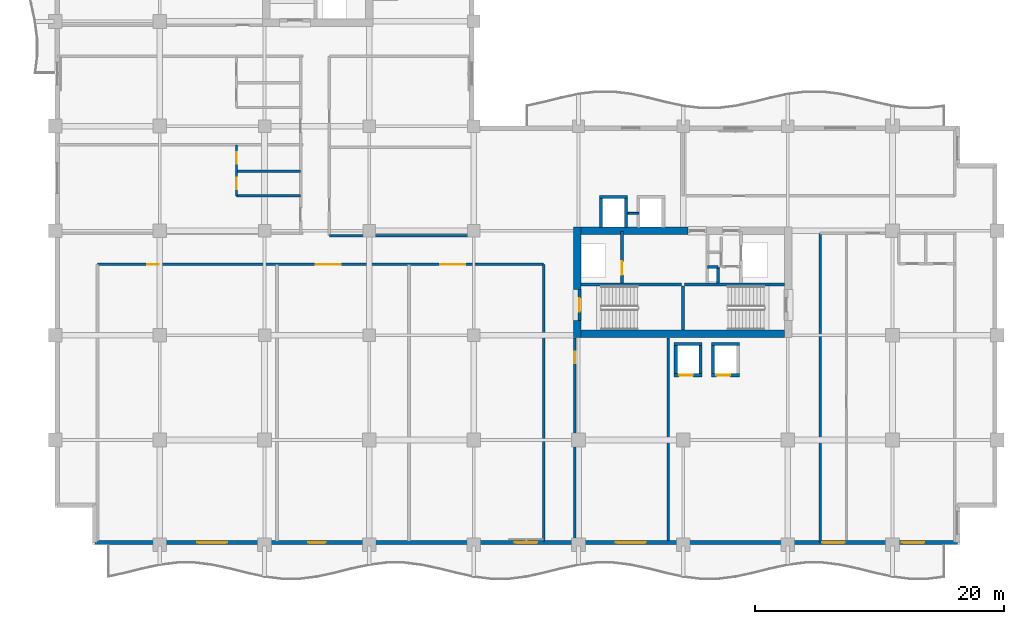
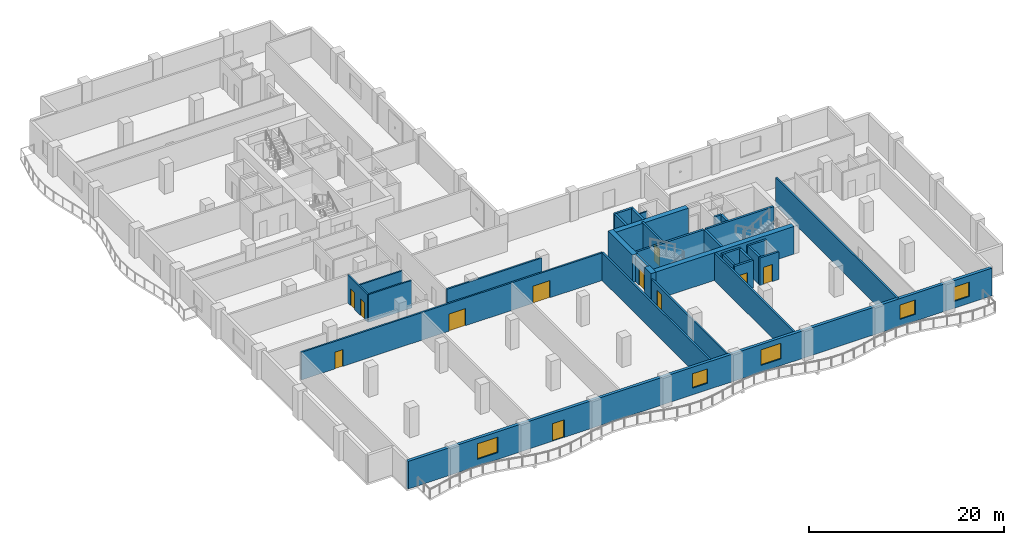
# One storey, part 4 of 15: 32 walls, 11 doors, 5 windows, 16 openings.
"""IFC4 building model written with IfcOpenShell, lengths in metres."""

import ifcopenshell
import ifcopenshell.guid

model = None  # the IFC model being written
_history = None  # IfcOwnerHistory: only IFC2X3 demands one
_inside = {}  # id of a spatial element -> (the spatial element, [elements in it])
_under = {}  # id of a project, library or spatial element -> (it, [spatial elements below it])
_declared = {}  # id of a project -> (the project, [libraries it declares])
_typed = {}  # id of a type object -> (the type object, [elements of that type])
_made_of = {}  # id of a material, layer set ... -> (it, [elements and type objects made of it])


def new_model(schema):
    """Start an empty IFC model of exactly this schema.

    Asked for "IFC4X3", IfcOpenShell would pick the latest addendum, in which some entities
    have other attributes; the version numbers below select the first issue.
    IFC2X3 requires an IfcOwnerHistory on every rooted entity: one is made here for all.
    """
    global model, _history
    if schema == "IFC4X3":
        model = ifcopenshell.file(schema_version=(4, 3, 0, 0))
    else:
        model = ifcopenshell.file(schema=schema)
    _inside.clear()
    _under.clear()
    _declared.clear()
    _typed.clear()
    _made_of.clear()
    _history = None
    if model.schema == "IFC2X3":
        org = make("IfcOrganization", Name="unknown")
        user = make(
            "IfcPersonAndOrganization",
            ThePerson=make("IfcPerson", FamilyName="unknown"),
            TheOrganization=org,
        )
        app = make(
            "IfcApplication",
            ApplicationDeveloper=org,
            Version="unknown",
            ApplicationFullName="unknown",
            ApplicationIdentifier="unknown",
        )
        _history = make(
            "IfcOwnerHistory",
            OwningUser=user,
            OwningApplication=app,
            ChangeAction="ADDED",
            CreationDate=0,
        )
    return model


def make(cls, **values):
    """One entity of the class cls with the attributes given. An attribute that is None is left unset."""
    return model.create_entity(
        cls, **{name: value for name, value in values.items() if value is not None}
    )


def rooted(cls, **values):
    """An entity with a GlobalId (a new one), such as an element, a storey or a relation."""
    return make(cls, GlobalId=ifcopenshell.guid.new(), OwnerHistory=_history, **values)


def si_unit(unit_type, name, prefix=None):
    """IfcSIUnit, for example si_unit("LENGTHUNIT", "METRE", prefix="MILLI")."""
    return make("IfcSIUnit", UnitType=unit_type, Prefix=prefix, Name=name)


def assignment(units):
    """IfcUnitAssignment: the units of a project."""
    return None if units is None else make("IfcUnitAssignment", Units=units)


def point(xyz):
    """IfcCartesianPoint."""
    return None if xyz is None else make("IfcCartesianPoint", Coordinates=xyz)


def direction(xyz):
    """IfcDirection."""
    return None if xyz is None else make("IfcDirection", DirectionRatios=xyz)


def frame(location, z_axis=None, x_axis=None):
    """IfcAxis2Placement3D, a coordinate frame: its origin and axes. An axis left out is left unset."""
    return make(
        "IfcAxis2Placement3D",
        Location=point(location),
        Axis=direction(z_axis),
        RefDirection=direction(x_axis),
    )


def frame_2d(location, x_axis=None):
    """IfcAxis2Placement2D, a coordinate frame in the plane: its origin and x axis."""
    return make(
        "IfcAxis2Placement2D", Location=point(location), RefDirection=direction(x_axis)
    )


def origin():
    """The frame at (0, 0, 0) with its axes left unset."""
    return frame((0.0, 0.0, 0.0))


def place(relative_to, where):
    """IfcLocalPlacement: puts the frame where relative to a parent placement (None: the world)."""
    return make(
        "IfcLocalPlacement", PlacementRelTo=relative_to, RelativePlacement=where
    )


def context(
    kind, dimensions, precision=None, world=None, true_north=None, identifier=None
):
    """IfcGeometricRepresentationContext, for example the 3D "Model" context."""
    return make(
        "IfcGeometricRepresentationContext",
        ContextIdentifier=identifier,
        ContextType=kind,
        CoordinateSpaceDimension=dimensions,
        Precision=precision,
        WorldCoordinateSystem=world,
        TrueNorth=true_north,
    )


def subcontext(parent, identifier, kind, view, scale=None):
    """IfcGeometricRepresentationSubContext, for example "Body" below "Model"."""
    return make(
        "IfcGeometricRepresentationSubContext",
        ContextIdentifier=identifier,
        ContextType=kind,
        ParentContext=parent,
        TargetScale=scale,
        TargetView=view,
    )


def project(units=None, contexts=None):
    """IfcProject with its units and contexts."""
    return rooted(
        "IfcProject",
        Name="project",
        RepresentationContexts=contexts,
        UnitsInContext=assignment(units),
    )


def spatial(cls, under=None, at=None, **own):
    """A site, building, storey or space (cls), placed at a placement, below another one or the project."""
    s = rooted(cls, ObjectPlacement=at, **own)
    if under is not None:
        _under.setdefault(under.id(), (under, []))[1].append(s)
    return s


def profile(cls, at=None, kind="AREA", **sizes):
    """A parametric profile (cls). Its sizes go by their IFC names, for example OverallWidth=200.0."""
    return make(cls, ProfileType=kind, Position=at, **sizes)


def rectangle(**sizes):
    """IfcRectangleProfileDef."""
    return profile("IfcRectangleProfileDef", **sizes)


def extrude(swept, where, along, depth):
    """IfcExtrudedAreaSolid: the profile swept, set in the frame where, extruded along a direction by depth."""
    return make(
        "IfcExtrudedAreaSolid",
        SweptArea=swept,
        Position=where,
        ExtrudedDirection=direction(along),
        Depth=depth,
    )


def shape(context_of_items, identifier, shape_type, items):
    """IfcShapeRepresentation: the items that make up one representation, for example the "Body"."""
    return make(
        "IfcShapeRepresentation",
        ContextOfItems=context_of_items,
        RepresentationIdentifier=identifier,
        RepresentationType=shape_type,
        Items=items,
    )


def material(Name=None, Category=None):
    """IfcMaterial."""
    return make("IfcMaterial", Name=Name, Category=Category)


def layer(
    of_material, thickness, ventilated=None, Name=None, Category=None, Priority=None
):
    """IfcMaterialLayer: one layer of a wall or slab, of a material (None: an air gap)."""
    return make(
        "IfcMaterialLayer",
        Material=of_material,
        LayerThickness=thickness,
        IsVentilated=ventilated,
        Name=Name,
        Category=Category,
        Priority=Priority,
    )


def layer_set(layers, Name=None):
    """IfcMaterialLayerSet."""
    return make("IfcMaterialLayerSet", MaterialLayers=layers, LayerSetName=Name)


def made_of(thing, what):
    """Note that an element or type object is made of a material, layer set ...; save() writes the relation."""
    if what is not None:
        _made_of.setdefault(what.id(), (what, []))[1].append(thing)
    return thing


def type_object(cls, material=None, **own):
    """A type object (cls), such as IfcWallType, which elements share."""
    return made_of(rooted(cls, **own), material)


def element(
    cls,
    number,
    at=None,
    inside=None,
    cuts=None,
    type_object=None,
    material=None,
    context=None,
    identifier="Body",
    shape_type=None,
    held_by="IfcProductDefinitionShape",
    body=None,
    shapes=None,
    **own,
):
    """One element of the class cls, such as IfcWall. Its Tag is "e" and its number.

    at: its placement. inside: the storey or other place that contains it. cuts: it is an
    opening in that element (IfcRelVoidsElement). A single representation is given by context,
    identifier, shape_type and body (its items); several are given by shapes. held_by: the class
    of the entity that holds the representations. save() writes the other relations.
    """
    e = rooted(cls, Tag="e%d" % number, ObjectPlacement=at, **own)
    if body is not None:
        shapes = [shape(context, identifier, shape_type, body)]
    if shapes is not None:
        e.Representation = make(held_by, Representations=shapes)
    if inside is not None:
        _inside.setdefault(inside.id(), (inside, []))[1].append(e)
    if cuts is not None:
        rooted(
            "IfcRelVoidsElement", RelatingBuildingElement=cuts, RelatedOpeningElement=e
        )
    if type_object is not None:
        _typed.setdefault(type_object.id(), (type_object, []))[1].append(e)
    return made_of(e, material)


def fill(opening, filler):
    """IfcRelFillsElement: the door or window that sits in an opening."""
    return rooted(
        "IfcRelFillsElement",
        RelatingOpeningElement=opening,
        RelatedBuildingElement=filler,
    )


def aggregate(whole, parts):
    """IfcRelAggregates: a whole, such as a stair, and the parts it consists of."""
    return rooted("IfcRelAggregates", RelatingObject=whole, RelatedObjects=parts)


def save(model, path):
    """Write the relations noted so far, then the file.

    IfcRelAggregates (storeys below a building ...), IfcRelContainedInSpatialStructure (elements
    in a storey), IfcRelDefinesByType, IfcRelAssociatesMaterial and IfcRelDeclares: one each for
    every whole, place, type object, material and project.
    """
    for whole, parts in _under.values():
        aggregate(whole, parts)
    for where, things in _inside.values():
        rooted(
            "IfcRelContainedInSpatialStructure",
            RelatedElements=things,
            RelatingStructure=where,
        )
    for kind, things in _typed.values():
        rooted("IfcRelDefinesByType", RelatedObjects=things, RelatingType=kind)
    for what, things in _made_of.values():
        rooted("IfcRelAssociatesMaterial", RelatedObjects=things, RelatingMaterial=what)
    for by, libraries in _declared.values():
        rooted("IfcRelDeclares", RelatingContext=by, RelatedDefinitions=libraries)
    model.write(path)


model = new_model("IFC4")

# Units and contexts
model_context = context("Model", 3, precision=1e-05, world=origin(), true_north=direction((0.0, 1.0)))
body_context = subcontext(model_context, "Body", "Model", "MODEL_VIEW")
ifc_project = project(units=[si_unit("LENGTHUNIT", "METRE"), si_unit("AREAUNIT", "SQUARE_METRE"), si_unit("VOLUMEUNIT", "CUBIC_METRE"), si_unit("PLANEANGLEUNIT", "RADIAN"), si_unit("MASSUNIT", "GRAM", prefix="KILO")], contexts=[model_context])

# Site, building, storey
site_placement = place(None, origin())
site = spatial("IfcSite", under=ifc_project, at=site_placement, CompositionType="ELEMENT")
building_placement = place(site_placement, origin())
building = spatial("IfcBuilding", under=site, at=building_placement, Name="Koriwani Terraces Tower", CompositionType="ELEMENT")
storey_placement = place(building_placement, frame((0.0, 0.0, 216.10009765625)))
storey = spatial("IfcBuildingStorey", under=building, at=storey_placement, Name="L53", CompositionType="ELEMENT", Elevation=216.10009765625)

# Walls
ifc_material_1 = material(Name="Concrete C60/75", Category="concrete")
ifc_layer_1 = layer(ifc_material_1, 0.60009765625, Name="Concrete C60/75")
ifc_layer_set_1 = layer_set([ifc_layer_1], Name="Concrete C60/75")
wall_type_1 = type_object("IfcWallType", Name="WALL_CORE_RC_600", PredefinedType="SHEAR", material=ifc_layer_set_1)
wall_1_placement = place(storey_placement, frame((41.89990234375, 16.64990234375, 0.0), z_axis=(0.0, 0.0, 1.0), x_axis=(0.0, 1.0, 0.0)))
element("IfcWall", 1, at=wall_1_placement, inside=storey, type_object=wall_type_1, Name="L53 East Split Core Shear Wall W1", PredefinedType="SHEAR", context=body_context, shape_type="SweptSolid", body=[
    extrude(rectangle(XDim=1.35009765625, YDim=0.60009765625, at=frame_2d((0.675048828125, 0.0))), origin(), (0.0, 0.0, 1.0), 3.469970703125),
])
wall_2_placement = place(storey_placement, frame((41.89990234375, 20.5, 0.0), z_axis=(0.0, 0.0, 1.0), x_axis=(0.0, 1.0, 0.0)))
element("IfcWall", 2, at=wall_2_placement, inside=storey, type_object=wall_type_1, Name="L53 East Split Core Shear Wall W2", PredefinedType="SHEAR", context=body_context, shape_type="SweptSolid", body=[
    extrude(rectangle(XDim=5.0, YDim=0.60009765625, at=frame_2d((2.5, 0.0))), origin(), (0.0, 0.0, 1.0), 3.469970703125),
])
wall_3_placement = place(storey_placement, frame((42.199951171875, 16.949951171875, 0.0), z_axis=(0.0, 0.0, 1.0), x_axis=(1.0, 0.0, 0.0)))
element("IfcWall", 3, at=wall_3_placement, inside=storey, type_object=wall_type_1, Name="L53 East Split Core Shear Wall S1", PredefinedType="SHEAR", context=body_context, shape_type="SweptSolid", body=[
    extrude(rectangle(XDim=16.35009765625, YDim=0.60009765625, at=frame_2d((8.175048828125, 0.0))), origin(), (0.0, 0.0, 1.0), 3.469970703125),
])
wall_4_placement = place(storey_placement, frame((42.199951171875, 25.199951171875, 0.0), z_axis=(0.0, 0.0, 1.0), x_axis=(1.0, 0.0, 0.0)))
element("IfcWall", 4, at=wall_4_placement, inside=storey, type_object=wall_type_1, Name="L53 East Split Core Shear Wall N1", PredefinedType="SHEAR", context=body_context, shape_type="SweptSolid", body=[
    extrude(rectangle(XDim=8.60009765625, YDim=0.60009765625, at=frame_2d((4.300048828125, 0.0))), origin(), (0.0, 0.0, 1.0), 3.469970703125),
])

# Wall, opening, door
ifc_material_2 = material(Name="Autoclaved Cellular Concrete Blockwork", Category="masonry")
ifc_layer_2 = layer(ifc_material_2, 0.199951171875, Name="Autoclaved Cellular Concrete Blockwork")
ifc_layer_set_2 = layer_set([ifc_layer_2], Name="Autoclaved Cellular Concrete Blockwork")
wall_type_2 = type_object("IfcWallType", Name="WALL_CORRIDOR_200", PredefinedType="PARTITIONING", material=ifc_layer_set_2)
wall_5_placement = place(storey_placement, frame((41.699951171875, 0.35009765625, 0.0), z_axis=(0.0, 0.0, 1.0), x_axis=(0.0, 1.0, 0.0)))
wall_5 = element("IfcWall", 5, at=wall_5_placement, inside=storey, type_object=wall_type_2, Name="L53 Interior Wall WREC-EW-L53", PredefinedType="PARTITIONING", context=body_context, shape_type="SweptSolid", body=[
    extrude(rectangle(XDim=16.25, YDim=0.199951171875, at=frame_2d((8.125, 0.0))), origin(), (0.0, 0.0, 1.0), 2.81982421875),
])
opening_1_placement = place(wall_5_placement, frame((14.199951171875, 0.0, 0.0)))
opening_1 = element("IfcOpeningElement", 6, at=opening_1_placement, cuts=wall_5, Name="Opening D-06", PredefinedType="OPENING", context=body_context, shape_type="SweptSolid", body=[
    extrude(rectangle(XDim=0.919921875, YDim=2.10009765625, at=frame_2d((0.4599609375, 1.050048828125))), frame((0.0, 0.10986328125, 0.0), z_axis=(0.0, -1.0, 0.0), x_axis=(1.0, 0.0, 0.0)), (0.0, 0.0, 1.0), 0.219970703125),
])
ifc_material_3 = material(Name="Architectural Oak Fire Door", Category="wood")
door_type_1 = type_object("IfcDoorType", Name="DOOR_ROOM_INT_920X2100", OperationType="NOTDEFINED", PredefinedType="DOOR", material=ifc_material_3)
door_1_placement = place(opening_1_placement, origin())
door_1 = element("IfcDoor", 7, at=door_1_placement, inside=storey, type_object=door_type_1, Name="L53 Resident Co-Working Study Door", OperationType="SINGLE_SWING_RIGHT", OverallHeight=2.10009765625, OverallWidth=0.919921875, PredefinedType="DOOR", context=body_context, shape_type="SweptSolid", body=[
    extrude(rectangle(XDim=0.919921875, YDim=2.10009765625, at=frame_2d((0.4599609375, 1.050048828125))), frame((0.0, 0.02490234375, 0.0), z_axis=(0.0, -1.0, 0.0), x_axis=(1.0, 0.0, 0.0)), (0.0, 0.0, 1.0), 0.050048828125),
])
fill(opening_1, door_1)

# Wall
wall_6_placement = place(storey_placement, frame((22.0, 24.800048828125, 0.0), z_axis=(0.0, 0.0, 1.0), x_axis=(1.0, 0.0, 0.0)))
element("IfcWall", 8, at=wall_6_placement, inside=storey, type_object=wall_type_2, Name="L53 Interior Wall WIC2-S-L53", PredefinedType="PARTITIONING", context=body_context, shape_type="SweptSolid", body=[
    extrude(rectangle(XDim=11.300048828125, YDim=0.199951171875, at=frame_2d((5.64990234375, 0.0))), origin(), (0.0, 0.0, 1.0), 3.469970703125),
])

# Wall, openings, doors
wall_7_placement = place(storey_placement, frame((3.39990234375, 22.5, 0.0), z_axis=(0.0, 0.0, 1.0), x_axis=(1.0, 0.0, 0.0)))
wall_7 = element("IfcWall", 9, at=wall_7_placement, inside=storey, type_object=wall_type_2, Name="L53 Interior Wall WC2CLB-L53", PredefinedType="PARTITIONING", context=body_context, shape_type="SweptSolid", body=[
    extrude(rectangle(XDim=35.800048828125, YDim=0.199951171875, at=frame_2d((17.89990234375, 0.0))), origin(), (0.0, 0.0, 1.0), 3.469970703125),
])
opening_2_placement = place(wall_7_placement, frame((4.0, 0.0, 0.0)))
opening_2 = element("IfcOpeningElement", 10, at=opening_2_placement, cuts=wall_7, Name="Opening D-06", PredefinedType="OPENING", context=body_context, shape_type="SweptSolid", body=[
    extrude(rectangle(XDim=0.919921875, YDim=2.10009765625, at=frame_2d((0.4599609375, 1.050048828125))), frame((0.0, 0.10986328125, 0.0), z_axis=(0.0, -1.0, 0.0), x_axis=(1.0, 0.0, 0.0)), (0.0, 0.0, 1.0), 0.219970703125),
])
opening_3_placement = place(wall_7_placement, frame((17.5, 0.0, 0.0)))
opening_3 = element("IfcOpeningElement", 11, at=opening_3_placement, cuts=wall_7, Name="Opening D-02", PredefinedType="OPENING", context=body_context, shape_type="SweptSolid", body=[
    extrude(rectangle(XDim=2.0, YDim=2.14990234375, at=frame_2d((1.0, 1.074951171875))), frame((0.0, 0.10986328125, 0.0), z_axis=(0.0, -1.0, 0.0), x_axis=(1.0, 0.0, 0.0)), (0.0, 0.0, 1.0), 0.219970703125),
])
opening_4_placement = place(wall_7_placement, frame((27.5, 0.0, 0.0)))
opening_4 = element("IfcOpeningElement", 12, at=opening_4_placement, cuts=wall_7, Name="Opening D-02", PredefinedType="OPENING", context=body_context, shape_type="SweptSolid", body=[
    extrude(rectangle(XDim=2.0, YDim=2.14990234375, at=frame_2d((1.0, 1.074951171875))), frame((0.0, 0.10986328125, 0.0), z_axis=(0.0, -1.0, 0.0), x_axis=(1.0, 0.0, 0.0)), (0.0, 0.0, 1.0), 0.219970703125),
])
ifc_material_4 = material(Name="Anodised Bronze Aluminium", Category="aluminium")
door_type_2 = type_object("IfcDoorType", Name="DOOR_ENTRANCE_DOUBLE_2000X2400", OperationType="NOTDEFINED", PredefinedType="DOOR", material=ifc_material_4)
door_2_placement = place(opening_3_placement, origin())
door_2 = element("IfcDoor", 13, at=door_2_placement, inside=storey, type_object=door_type_2, Name="L53 Sky Club Lounge Door", OperationType="SINGLE_SWING_RIGHT", OverallHeight=2.14990234375, OverallWidth=2.0, PredefinedType="DOOR", context=body_context, shape_type="SweptSolid", body=[
    extrude(rectangle(XDim=2.0, YDim=2.14990234375, at=frame_2d((1.0, 1.074951171875))), frame((0.0, 0.02490234375, 0.0), z_axis=(0.0, -1.0, 0.0), x_axis=(1.0, 0.0, 0.0)), (0.0, 0.0, 1.0), 0.050048828125),
])
fill(opening_3, door_2)
door_3_placement = place(opening_4_placement, origin())
door_3 = element("IfcDoor", 14, at=door_3_placement, inside=storey, type_object=door_type_2, Name="L53 Private Dining Room Door", OperationType="SINGLE_SWING_LEFT", OverallHeight=2.14990234375, OverallWidth=2.0, PredefinedType="DOOR", context=body_context, shape_type="SweptSolid", body=[
    extrude(rectangle(XDim=2.0, YDim=2.14990234375, at=frame_2d((1.0, 1.074951171875))), frame((0.0, 0.02490234375, 0.0), z_axis=(0.0, -1.0, 0.0), x_axis=(1.0, 0.0, 0.0)), (0.0, 0.0, 1.0), 0.050048828125),
])
fill(opening_4, door_3)
door_4_placement = place(opening_2_placement, origin())
door_4 = element("IfcDoor", 15, at=door_4_placement, inside=storey, type_object=door_type_1, Name="L53 Wine Tasting Cellar Door", OperationType="SINGLE_SWING_LEFT", OverallHeight=2.10009765625, OverallWidth=0.919921875, PredefinedType="DOOR", context=body_context, shape_type="SweptSolid", body=[
    extrude(rectangle(XDim=0.919921875, YDim=2.10009765625, at=frame_2d((0.4599609375, 1.050048828125))), frame((0.0, 0.02490234375, 0.0), z_axis=(0.0, -1.0, 0.0), x_axis=(1.0, 0.0, 0.0)), (0.0, 0.0, 1.0), 0.050048828125),
])
fill(opening_2, door_4)

# Walls
ifc_layer_3 = layer(ifc_material_2, 0.219970703125, Name="Autoclaved Cellular Concrete Blockwork")
ifc_layer_set_3 = layer_set([ifc_layer_3], Name="Autoclaved Cellular Concrete Blockwork")
wall_type_3 = type_object("IfcWallType", Name="WALL_DEMISING_220", PredefinedType="PARTITIONING", material=ifc_layer_set_3)
wall_8_placement = place(storey_placement, frame((49.199951171875, 0.35009765625, 0.0), z_axis=(0.0, 0.0, 1.0), x_axis=(0.0, 1.0, 0.0)))
element("IfcWall", 16, at=wall_8_placement, inside=storey, type_object=wall_type_3, Name="L53 Interior Wall WREC-EE-L53", PredefinedType="PARTITIONING", context=body_context, shape_type="SweptSolid", body=[
    extrude(rectangle(XDim=16.25, YDim=0.219970703125, at=frame_2d((8.125, 0.0))), origin(), (0.0, 0.0, 1.0), 3.469970703125),
])
wall_9_placement = place(storey_placement, frame((39.199951171875, 0.300048828125, 0.0), z_axis=(0.0, 0.0, 1.0), x_axis=(0.0, 1.0, 0.0)))
element("IfcWall", 17, at=wall_9_placement, inside=storey, type_object=wall_type_3, Name="L53 Interior Wall WC2CLBE-L53", PredefinedType="PARTITIONING", context=body_context, shape_type="SweptSolid", body=[
    extrude(rectangle(XDim=22.199951171875, YDim=0.219970703125, at=frame_2d((11.10009765625, 0.0))), origin(), (0.0, 0.0, 1.0), 3.469970703125),
])
wall_10_placement = place(storey_placement, frame((61.39990234375, 0.199951171875, 0.0), z_axis=(0.0, 0.0, 1.0), x_axis=(0.0, 1.0, 0.0)))
element("IfcWall", 18, at=wall_10_placement, inside=storey, type_object=wall_type_3, Name="L53 Interior Wall WRDEM-L53-SE-0", PredefinedType="PARTITIONING", context=body_context, shape_type="SweptSolid", body=[
    extrude(rectangle(XDim=24.97998046875, YDim=0.219970703125, at=frame_2d((12.489990234375, 0.0))), origin(), (0.0, 0.0, 1.0), 3.469970703125),
])

# Wall, openings, door, windows
ifc_material_5 = material(Name="Concrete C50/60", Category="concrete")
ifc_layer_4 = layer(ifc_material_5, 0.35009765625, Name="Concrete C50/60")
ifc_layer_set_4 = layer_set([ifc_layer_4], Name="Concrete C50/60")
wall_type_4 = type_object("IfcWallType", Name="WALL_EXT_BRUTALIST_350", PredefinedType="STANDARD", material=ifc_layer_set_4)
wall_11_placement = place(storey_placement, frame((72.425048828125, 0.175048828125, 0.0), z_axis=(0.0, 0.0, 1.0), x_axis=(-1.0, 0.0, 0.0)))
wall_11 = element("IfcWall", 19, at=wall_11_placement, inside=storey, type_object=wall_type_4, Name="L53 Fair-Faced Brutalist Exterior Wall (S)", PredefinedType="STANDARD", context=body_context, shape_type="SweptSolid", body=[
    extrude(rectangle(XDim=69.25, YDim=0.35009765625, at=frame_2d((34.625, 0.0))), origin(), (0.0, 0.0, 1.0), 3.469970703125),
])
opening_5_placement = place(wall_11_placement, frame((50.72509765625, 0.0, 0.0)))
opening_5 = element("IfcOpeningElement", 20, at=opening_5_placement, cuts=wall_11, Name="Opening D-09", PredefinedType="OPENING", context=body_context, shape_type="SweptSolid", body=[
    extrude(rectangle(XDim=1.39990234375, YDim=2.199951171875, at=frame_2d((0.699951171875, 1.10009765625))), frame((0.0, 0.18505859375, 0.0), z_axis=(0.0, -1.0, 0.0), x_axis=(1.0, 0.0, 0.0)), (0.0, 0.0, 1.0), 0.3701171875),
])
opening_6_placement = place(wall_11_placement, frame((58.625, 0.0, 0.85009765625)))
opening_6 = element("IfcOpeningElement", 21, at=opening_6_placement, cuts=wall_11, Name="Opening W-03", PredefinedType="OPENING", context=body_context, shape_type="SweptSolid", body=[
    extrude(rectangle(XDim=2.39990234375, YDim=1.949951171875, at=frame_2d((1.199951171875, 0.97509765625))), frame((0.0, 0.18505859375, 0.0), z_axis=(0.0, -1.0, 0.0), x_axis=(1.0, 0.0, 0.0)), (0.0, 0.0, 1.0), 0.3701171875),
])
opening_7_placement = place(wall_11_placement, frame((33.72509765625, 0.0, 0.85009765625)))
opening_7 = element("IfcOpeningElement", 22, at=opening_7_placement, cuts=wall_11, Name="Opening W-04", PredefinedType="OPENING", context=body_context, shape_type="SweptSolid", body=[
    extrude(rectangle(XDim=1.800048828125, YDim=1.800048828125, at=frame_2d((0.89990234375, 0.89990234375))), frame((0.0, 0.18505859375, 0.0), z_axis=(0.0, -1.0, 0.0), x_axis=(1.0, 0.0, 0.0)), (0.0, 0.0, 1.0), 0.3701171875),
])
opening_8_placement = place(wall_11_placement, frame((25.02490234375, 0.0, 0.85009765625)))
opening_8 = element("IfcOpeningElement", 23, at=opening_8_placement, cuts=wall_11, Name="Opening W-03", PredefinedType="OPENING", context=body_context, shape_type="SweptSolid", body=[
    extrude(rectangle(XDim=2.39990234375, YDim=1.949951171875, at=frame_2d((1.199951171875, 0.97509765625))), frame((0.0, 0.18505859375, 0.0), z_axis=(0.0, -1.0, 0.0), x_axis=(1.0, 0.0, 0.0)), (0.0, 0.0, 1.0), 0.3701171875),
])
opening_9_placement = place(wall_11_placement, frame((9.074951171875, 0.0, 0.85009765625)))
opening_9 = element("IfcOpeningElement", 24, at=opening_9_placement, cuts=wall_11, Name="Opening W-04", PredefinedType="OPENING", context=body_context, shape_type="SweptSolid", body=[
    extrude(rectangle(XDim=1.800048828125, YDim=1.800048828125, at=frame_2d((0.89990234375, 0.89990234375))), frame((0.0, 0.18505859375, 0.0), z_axis=(0.0, -1.0, 0.0), x_axis=(1.0, 0.0, 0.0)), (0.0, 0.0, 1.0), 0.3701171875),
])
opening_10_placement = place(wall_11_placement, frame((2.675048828125, 0.0, 0.85009765625)))
opening_10 = element("IfcOpeningElement", 25, at=opening_10_placement, cuts=wall_11, Name="Opening W-04", PredefinedType="OPENING", context=body_context, shape_type="SweptSolid", body=[
    extrude(rectangle(XDim=1.800048828125, YDim=1.800048828125, at=frame_2d((0.89990234375, 0.89990234375))), frame((0.0, 0.18505859375, 0.0), z_axis=(0.0, -1.0, 0.0), x_axis=(1.0, 0.0, 0.0)), (0.0, 0.0, 1.0), 0.3701171875),
])
door_type_3 = type_object("IfcDoorType", Name="DOOR_BALCONY_GLAZED_1400X2200", OperationType="NOTDEFINED", PredefinedType="DOOR", material=ifc_material_4)
door_5_placement = place(opening_5_placement, origin())
door_5 = element("IfcDoor", 26, at=door_5_placement, inside=storey, type_object=door_type_3, Name="L53 South Balcony Glazed Door", OperationType="SINGLE_SWING_LEFT", OverallHeight=2.199951171875, OverallWidth=1.39990234375, PredefinedType="DOOR", context=body_context, shape_type="SweptSolid", body=[
    extrude(rectangle(XDim=1.39990234375, YDim=2.199951171875, at=frame_2d((0.699951171875, 1.10009765625))), frame((0.0, 0.02490234375, 0.0), z_axis=(0.0, -1.0, 0.0), x_axis=(1.0, 0.0, 0.0)), (0.0, 0.0, 1.0), 0.050048828125),
])
fill(opening_5, door_5)
ifc_material_6 = material(Name="Tempered Laminated Low-E Glass", Category="glass")
window_type_1 = type_object("IfcWindowType", Name="WIN_RES_BED_1800X1800", PartitioningType="DOUBLE_PANEL_VERTICAL", PredefinedType="WINDOW", material=ifc_material_6)
window_1_placement = place(opening_7_placement, origin())
window_1 = element("IfcWindow", 27, at=window_1_placement, inside=storey, type_object=window_type_1, Name="L53 Exterior Window (S-12)", OverallHeight=1.800048828125, OverallWidth=1.800048828125, PartitioningType="SINGLE_PANEL", PredefinedType="WINDOW", context=body_context, shape_type="SweptSolid", body=[
    extrude(rectangle(XDim=1.800048828125, YDim=1.800048828125, at=frame_2d((0.89990234375, 0.89990234375))), frame((0.0, 0.030029296875, 0.0), z_axis=(0.0, -1.0, 0.0), x_axis=(1.0, 0.0, 0.0)), (0.0, 0.0, 1.0), 0.06005859375),
])
fill(opening_7, window_1)
window_2_placement = place(opening_9_placement, origin())
window_2 = element("IfcWindow", 28, at=window_2_placement, inside=storey, type_object=window_type_1, Name="L53 Exterior Window (S-R48)", OverallHeight=1.800048828125, OverallWidth=1.800048828125, PartitioningType="SINGLE_PANEL", PredefinedType="WINDOW", context=body_context, shape_type="SweptSolid", body=[
    extrude(rectangle(XDim=1.800048828125, YDim=1.800048828125, at=frame_2d((0.89990234375, 0.89990234375))), frame((0.0, 0.030029296875, 0.0), z_axis=(0.0, -1.0, 0.0), x_axis=(1.0, 0.0, 0.0)), (0.0, 0.0, 1.0), 0.06005859375),
])
fill(opening_9, window_2)
window_3_placement = place(opening_10_placement, origin())
window_3 = element("IfcWindow", 29, at=window_3_placement, inside=storey, type_object=window_type_1, Name="L53 Exterior Window (S-R49)", OverallHeight=1.800048828125, OverallWidth=1.800048828125, PartitioningType="SINGLE_PANEL", PredefinedType="WINDOW", context=body_context, shape_type="SweptSolid", body=[
    extrude(rectangle(XDim=1.800048828125, YDim=1.800048828125, at=frame_2d((0.89990234375, 0.89990234375))), frame((0.0, 0.030029296875, 0.0), z_axis=(0.0, -1.0, 0.0), x_axis=(1.0, 0.0, 0.0)), (0.0, 0.0, 1.0), 0.06005859375),
])
fill(opening_10, window_3)
window_type_2 = type_object("IfcWindowType", Name="WIN_RES_LIVING_2400X1950", PartitioningType="DOUBLE_PANEL_VERTICAL", PredefinedType="WINDOW", material=ifc_material_6)
window_4_placement = place(opening_6_placement, origin())
window_4 = element("IfcWindow", 30, at=window_4_placement, inside=storey, type_object=window_type_2, Name="L53 Exterior Window (S-3)", OverallHeight=1.949951171875, OverallWidth=2.39990234375, PartitioningType="SINGLE_PANEL", PredefinedType="WINDOW", context=body_context, shape_type="SweptSolid", body=[
    extrude(rectangle(XDim=2.39990234375, YDim=1.949951171875, at=frame_2d((1.199951171875, 0.97509765625))), frame((0.0, 0.030029296875, 0.0), z_axis=(0.0, -1.0, 0.0), x_axis=(1.0, 0.0, 0.0)), (0.0, 0.0, 1.0), 0.06005859375),
])
fill(opening_6, window_4)
window_5_placement = place(opening_8_placement, origin())
window_5 = element("IfcWindow", 31, at=window_5_placement, inside=storey, type_object=window_type_2, Name="L53 Exterior Window (S-15)", OverallHeight=1.949951171875, OverallWidth=2.39990234375, PartitioningType="SINGLE_PANEL", PredefinedType="WINDOW", context=body_context, shape_type="SweptSolid", body=[
    extrude(rectangle(XDim=2.39990234375, YDim=1.949951171875, at=frame_2d((1.199951171875, 0.97509765625))), frame((0.0, 0.030029296875, 0.0), z_axis=(0.0, -1.0, 0.0), x_axis=(1.0, 0.0, 0.0)), (0.0, 0.0, 1.0), 0.06005859375),
])
fill(opening_8, window_5)

# Wall, openings, doors
ifc_material_7 = material(Name="Fire-Rated Acoustic Gypsum Partition", Category="masonry")
ifc_layer_5 = layer(ifc_material_7, 0.179931640625, Name="Fire-Rated Acoustic Gypsum Partition")
ifc_layer_set_5 = layer_set([ifc_layer_5], Name="Fire-Rated Acoustic Gypsum Partition")
wall_type_5 = type_object("IfcWallType", Name="WALL_PLUMBING_180", PredefinedType="PLUMBINGWALL", material=ifc_layer_set_5)
wall_12_placement = place(storey_placement, frame((14.550048828125, 28.0, 0.0), z_axis=(0.0, 0.0, 1.0), x_axis=(0.0, 1.0, 0.0)))
wall_12 = element("IfcWall", 32, at=wall_12_placement, inside=storey, type_object=wall_type_5, Name="L53 Interior Wall WRSVC-L53-NW-0", PredefinedType="PLUMBINGWALL", context=body_context, shape_type="SweptSolid", body=[
    extrude(rectangle(XDim=4.10009765625, YDim=0.179931640625, at=frame_2d((2.050048828125, 0.0))), origin(), (0.0, 0.0, 1.0), 3.469970703125),
])
opening_11_placement = place(wall_12_placement, frame((0.533935546875, 0.0, 0.0)))
opening_11 = element("IfcOpeningElement", 33, at=opening_11_placement, cuts=wall_12, Name="Opening D-07", PredefinedType="OPENING", context=body_context, shape_type="SweptSolid", body=[
    extrude(rectangle(XDim=0.89990234375, YDim=2.10009765625, at=frame_2d((0.449951171875, 1.050048828125))), frame((0.0, 0.10009765625, 0.0), z_axis=(0.0, -1.0, 0.0), x_axis=(1.0, 0.0, 0.0)), (0.0, 0.0, 1.0), 0.199951171875),
])
opening_12_placement = place(wall_12_placement, frame((2.573974609375, 0.0, 0.0)))
opening_12 = element("IfcOpeningElement", 34, at=opening_12_placement, cuts=wall_12, Name="Opening D-06", PredefinedType="OPENING", context=body_context, shape_type="SweptSolid", body=[
    extrude(rectangle(XDim=0.919921875, YDim=2.10009765625, at=frame_2d((0.4599609375, 1.050048828125))), frame((0.0, 0.10009765625, 0.0), z_axis=(0.0, -1.0, 0.0), x_axis=(1.0, 0.0, 0.0)), (0.0, 0.0, 1.0), 0.199951171875),
])
door_type_4 = type_object("IfcDoorType", Name="DOOR_BATH_INT_900X2100", OperationType="NOTDEFINED", PredefinedType="DOOR", material=ifc_material_3)
door_6_placement = place(opening_11_placement, origin())
door_6 = element("IfcDoor", 35, at=door_6_placement, inside=storey, type_object=door_type_4, Name="Apartment 53NW1 Bathroom Door", OperationType="SINGLE_SWING_LEFT", OverallHeight=2.10009765625, OverallWidth=0.89990234375, PredefinedType="DOOR", context=body_context, shape_type="SweptSolid", body=[
    extrude(rectangle(XDim=0.89990234375, YDim=2.10009765625, at=frame_2d((0.449951171875, 1.050048828125))), frame((0.0, 0.02490234375, 0.0), z_axis=(0.0, -1.0, 0.0), x_axis=(1.0, 0.0, 0.0)), (0.0, 0.0, 1.0), 0.050048828125),
])
fill(opening_11, door_6)
door_7_placement = place(opening_12_placement, origin())
door_7 = element("IfcDoor", 36, at=door_7_placement, inside=storey, type_object=door_type_1, Name="Apartment 53NW1 Kitchen Door", OperationType="SINGLE_SWING_RIGHT", OverallHeight=2.10009765625, OverallWidth=0.919921875, PredefinedType="DOOR", context=body_context, shape_type="SweptSolid", body=[
    extrude(rectangle(XDim=0.919921875, YDim=2.10009765625, at=frame_2d((0.4599609375, 1.050048828125))), frame((0.0, 0.02490234375, 0.0), z_axis=(0.0, -1.0, 0.0), x_axis=(1.0, 0.0, 0.0)), (0.0, 0.0, 1.0), 0.050048828125),
])
fill(opening_12, door_7)

# Walls
for number, where, z_axis, x_axis, name in (
    (37, (14.550048828125, 28.0, 0.0), (0.0, 0.0, 1.0), (1.0, 0.0, 0.0), "L53 Interior Wall WRSVCS-L53-NW-0"),
    (38, (14.550048828125, 29.968017578125, 0.0), (0.0, 0.0, 1.0), (1.0, 0.0, 0.0), "L53 Interior Wall WRSVCM-L53-NW-0"),
):
    element("IfcWall", number, at=place(storey_placement, frame(where, z_axis=z_axis, x_axis=x_axis)), inside=storey, type_object=wall_type_5, Name=name, PredefinedType="PLUMBINGWALL", context=body_context, shape_type="SweptSolid", body=[
        extrude(rectangle(XDim=5.14990234375, YDim=0.179931640625, at=frame_2d((2.574951171875, 0.0))), origin(), (0.0, 0.0, 1.0), 3.469970703125),
    ])
ifc_material_8 = material(Name="Concrete C40/50", Category="concrete")
ifc_layer_6 = layer(ifc_material_8, 0.25, Name="Concrete C40/50")
ifc_layer_set_6 = layer_set([ifc_layer_6], Name="Concrete C40/50")
wall_type_6 = type_object("IfcWallType", Name="WALL_SHAFT_RATED_250", PredefinedType="SOLIDWALL", material=ifc_layer_set_6)
for number, where, z_axis, x_axis, name in (
    (39, (42.199951171875, 20.875, 0.0), (0.0, 0.0, 1.0), (1.0, 0.0, 0.0), "L53 East Split Core Web Wall MID1"),
    (40, (50.5, 20.875, 0.0), (0.0, 0.0, 1.0), (1.0, 0.0, 0.0), "L53 East Split Core Web Wall MID2"),
):
    element("IfcWall", number, at=place(storey_placement, frame(where, z_axis=z_axis, x_axis=x_axis)), inside=storey, type_object=wall_type_6, Name=name, PredefinedType="SOLIDWALL", context=body_context, shape_type="SweptSolid", body=[
        extrude(rectangle(XDim=8.050048828125, YDim=0.25, at=frame_2d((4.02490234375, 0.0))), origin(), (0.0, 0.0, 1.0), 3.469970703125),
    ])
wall_13_placement = place(storey_placement, frame((50.375, 17.25, 0.0), z_axis=(0.0, 0.0, 1.0), x_axis=(0.0, 1.0, 0.0)))
element("IfcWall", 41, at=wall_13_placement, inside=storey, type_object=wall_type_6, Name="L53 East Split Core Stair Dividing Wall", PredefinedType="SOLIDWALL", context=body_context, shape_type="SweptSolid", body=[
    extrude(rectangle(XDim=3.5, YDim=0.25, at=frame_2d((1.75, 0.0))), origin(), (0.0, 0.0, 1.0), 3.469970703125),
])

# Wall, opening, door
wall_14_placement = place(storey_placement, frame((42.074951171875, 18.0, 0.0), z_axis=(0.0, 0.0, 1.0), x_axis=(0.0, 1.0, 0.0)))
wall_14 = element("IfcWall", 42, at=wall_14_placement, inside=storey, type_object=wall_type_6, Name="L53 Interior Wall WIN-CE-L53-STW", PredefinedType="SOLIDWALL", context=body_context, shape_type="SweptSolid", body=[
    extrude(rectangle(XDim=2.5, YDim=0.25, at=frame_2d((1.25, 0.0))), origin(), (0.0, 0.0, 1.0), 3.469970703125),
])
opening_13_placement = place(wall_14_placement, frame((0.699951171875, 0.0, 0.0)))
opening_13 = element("IfcOpeningElement", 43, at=opening_13_placement, cuts=wall_14, Name="Opening D-03", PredefinedType="OPENING", context=body_context, shape_type="SweptSolid", body=[
    extrude(rectangle(XDim=1.10009765625, YDim=2.14990234375, at=frame_2d((0.550048828125, 1.074951171875))), frame((0.0, 0.135009765625, 0.0), z_axis=(0.0, -1.0, 0.0), x_axis=(1.0, 0.0, 0.0)), (0.0, 0.0, 1.0), 0.27001953125),
])
ifc_material_9 = material(Name="Steel ASTM A572 Grade 50", Category="steel")
door_type_5 = type_object("IfcDoorType", Name="DOOR_STAIR_FIRE_1100X2150", OperationType="NOTDEFINED", PredefinedType="DOOR", material=ifc_material_9)
door_8_placement = place(opening_13_placement, origin())
door_8 = element("IfcDoor", 44, at=door_8_placement, inside=storey, type_object=door_type_5, Name="L53 Exit Stair ST-E1 Door", OperationType="SINGLE_SWING_RIGHT", OverallHeight=2.14990234375, OverallWidth=1.10009765625, PredefinedType="DOOR", context=body_context, shape_type="SweptSolid", body=[
    extrude(rectangle(XDim=1.10009765625, YDim=2.14990234375, at=frame_2d((0.550048828125, 1.074951171875))), frame((0.0, 0.02490234375, 0.0), z_axis=(0.0, -1.0, 0.0), x_axis=(1.0, 0.0, 0.0)), (0.0, 0.0, 1.0), 0.050048828125),
])
fill(opening_13, door_8)

wall_15_placement = place(storey_placement, frame((45.5, 21.0, 0.0), z_axis=(0.0, 0.0, 1.0), x_axis=(0.0, 1.0, 0.0)))
wall_15 = element("IfcWall", 45, at=wall_15_placement, inside=storey, type_object=wall_type_6, Name="L53 Interior Wall WIN-CE-L53-FE", PredefinedType="SOLIDWALL", context=body_context, shape_type="SweptSolid", body=[
    extrude(rectangle(XDim=4.14990234375, YDim=0.25, at=frame_2d((2.074951171875, 0.0))), origin(), (0.0, 0.0, 1.0), 3.469970703125),
])
opening_14_placement = place(wall_15_placement, frame((0.64990234375, 0.0, 0.0)))
opening_14 = element("IfcOpeningElement", 46, at=opening_14_placement, cuts=wall_15, Name="Opening LD-01", PredefinedType="OPENING", context=body_context, shape_type="SweptSolid", body=[
    extrude(rectangle(XDim=1.10009765625, YDim=2.14990234375, at=frame_2d((0.550048828125, 1.074951171875))), frame((0.0, 0.135009765625, 0.0), z_axis=(0.0, -1.0, 0.0), x_axis=(1.0, 0.0, 0.0)), (0.0, 0.0, 1.0), 0.27001953125),
])
door_type_6 = type_object("IfcDoorType", Name="DOOR_LIFT_LANDING_1100X2200", OperationType="NOTDEFINED", PredefinedType="DOOR", material=ifc_material_9)
door_9_placement = place(opening_14_placement, origin())
door_9 = element("IfcDoor", 47, at=door_9_placement, inside=storey, type_object=door_type_6, Name="L53 Firefighting Lift FE-02 Landing Door", OperationType="SLIDING_TO_LEFT", OverallHeight=2.14990234375, OverallWidth=1.10009765625, PredefinedType="DOOR", context=body_context, shape_type="SweptSolid", body=[
    extrude(rectangle(XDim=1.10009765625, YDim=2.14990234375, at=frame_2d((0.550048828125, 1.074951171875))), frame((0.0, 0.02490234375, 0.0), z_axis=(0.0, -1.0, 0.0), x_axis=(1.0, 0.0, 0.0)), (0.0, 0.0, 1.0), 0.050048828125),
])
fill(opening_14, door_9)

# Walls
wall_16_placement = place(storey_placement, frame((53.199951171875, 21.0, 0.0), z_axis=(0.0, 0.0, 1.0), x_axis=(0.0, 1.0, 0.0)))
element("IfcWall", 48, at=wall_16_placement, inside=storey, type_object=wall_type_6, Name="L53 Interior Wall WIN-CE-L53-RS1", PredefinedType="SOLIDWALL", context=body_context, shape_type="SweptSolid", body=[
    extrude(rectangle(XDim=1.300048828125, YDim=0.25, at=frame_2d((0.64990234375, 0.0))), origin(), (0.0, 0.0, 1.0), 3.469970703125),
])
wall_17_placement = place(storey_placement, frame((52.360107421875, 22.300048828125, 0.0), z_axis=(0.0, 0.0, 1.0), x_axis=(1.0, 0.0, 0.0)))
element("IfcWall", 49, at=wall_17_placement, inside=storey, type_object=wall_type_6, Name="L53 Interior Wall WIN-CE-L53-RS2", PredefinedType="SOLIDWALL", context=body_context, shape_type="SweptSolid", body=[
    extrude(rectangle(XDim=0.83984375, YDim=0.25, at=frame_2d((0.419921875, 0.0))), origin(), (0.0, 0.0, 1.0), 3.469970703125),
])

# Wall, opening, door
wall_18_placement = place(storey_placement, frame((49.675048828125, 13.60009765625, 0.0), z_axis=(0.0, 0.0, 1.0), x_axis=(1.0, 0.0, 0.0)))
wall_18 = element("IfcWall", 50, at=wall_18_placement, inside=storey, type_object=wall_type_6, Name="L53 Interior Wall WIN-LF-PE-M3-L53-F", PredefinedType="SOLIDWALL", context=body_context, shape_type="SweptSolid", body=[
    extrude(rectangle(XDim=2.25, YDim=0.25, at=frame_2d((1.125, 0.0))), origin(), (0.0, 0.0, 1.0), 3.469970703125),
])
opening_15_placement = place(wall_18_placement, frame((0.39990234375, 0.0, 0.0)))
opening_15 = element("IfcOpeningElement", 51, at=opening_15_placement, cuts=wall_18, Name="Opening LD-01", PredefinedType="OPENING", context=body_context, shape_type="SweptSolid", body=[
    extrude(rectangle(XDim=1.10009765625, YDim=2.14990234375, at=frame_2d((0.550048828125, 1.074951171875))), frame((0.0, 0.135009765625, 0.0), z_axis=(0.0, -1.0, 0.0), x_axis=(1.0, 0.0, 0.0)), (0.0, 0.0, 1.0), 0.27001953125),
])
door_10_placement = place(opening_15_placement, origin())
door_10 = element("IfcDoor", 52, at=door_10_placement, inside=storey, type_object=door_type_6, Name="L53 Passenger Lift PE-M3 Landing Door", OperationType="SLIDING_TO_LEFT", OverallHeight=2.14990234375, OverallWidth=1.10009765625, PredefinedType="DOOR", context=body_context, shape_type="SweptSolid", body=[
    extrude(rectangle(XDim=1.10009765625, YDim=2.14990234375, at=frame_2d((0.550048828125, 1.074951171875))), frame((0.0, 0.02490234375, 0.0), z_axis=(0.0, -1.0, 0.0), x_axis=(1.0, 0.0, 0.0)), (0.0, 0.0, 1.0), 0.050048828125),
])
fill(opening_15, door_10)

# Walls
for number, where, z_axis, x_axis, name in (
    (53, (49.675048828125, 16.10009765625, 0.0), (0.0, 0.0, 1.0), (1.0, 0.0, 0.0), "L53 Interior Wall WIN-LF-PE-M3-L53-B"),
    (54, (49.800048828125, 13.72509765625, 0.0), (0.0, 0.0, 1.0), (0.0, 1.0, 0.0), "L53 Interior Wall WIN-LF-PE-M3-L53-W"),
    (55, (51.800048828125, 13.72509765625, 0.0), (0.0, 0.0, 1.0), (0.0, 1.0, 0.0), "L53 Interior Wall WIN-LF-PE-M3-L53-E"),
):
    element("IfcWall", number, at=place(storey_placement, frame(where, z_axis=z_axis, x_axis=x_axis)), inside=storey, type_object=wall_type_6, Name=name, PredefinedType="SOLIDWALL", context=body_context, shape_type="SweptSolid", body=[
        extrude(rectangle(XDim=2.25, YDim=0.25, at=frame_2d((1.125, 0.0))), origin(), (0.0, 0.0, 1.0), 3.469970703125),
    ])

# Wall, opening, door
wall_19_placement = place(storey_placement, frame((52.675048828125, 13.60009765625, 0.0), z_axis=(0.0, 0.0, 1.0), x_axis=(1.0, 0.0, 0.0)))
wall_19 = element("IfcWall", 56, at=wall_19_placement, inside=storey, type_object=wall_type_6, Name="L53 Interior Wall WIN-LF-PE-M4-L53-F", PredefinedType="SOLIDWALL", context=body_context, shape_type="SweptSolid", body=[
    extrude(rectangle(XDim=2.25, YDim=0.25, at=frame_2d((1.125, 0.0))), origin(), (0.0, 0.0, 1.0), 3.469970703125),
])
opening_16_placement = place(wall_19_placement, frame((0.39990234375, 0.0, 0.0)))
opening_16 = element("IfcOpeningElement", 57, at=opening_16_placement, cuts=wall_19, Name="Opening LD-01", PredefinedType="OPENING", context=body_context, shape_type="SweptSolid", body=[
    extrude(rectangle(XDim=1.10009765625, YDim=2.14990234375, at=frame_2d((0.550048828125, 1.074951171875))), frame((0.0, 0.135009765625, 0.0), z_axis=(0.0, -1.0, 0.0), x_axis=(1.0, 0.0, 0.0)), (0.0, 0.0, 1.0), 0.27001953125),
])
door_11_placement = place(opening_16_placement, origin())
door_11 = element("IfcDoor", 58, at=door_11_placement, inside=storey, type_object=door_type_6, Name="L53 Passenger Lift PE-M4 Landing Door", OperationType="SLIDING_TO_LEFT", OverallHeight=2.14990234375, OverallWidth=1.10009765625, PredefinedType="DOOR", context=body_context, shape_type="SweptSolid", body=[
    extrude(rectangle(XDim=1.10009765625, YDim=2.14990234375, at=frame_2d((0.550048828125, 1.074951171875))), frame((0.0, 0.02490234375, 0.0), z_axis=(0.0, -1.0, 0.0), x_axis=(1.0, 0.0, 0.0)), (0.0, 0.0, 1.0), 0.050048828125),
])
fill(opening_16, door_11)

# Walls
for number, where, z_axis, x_axis, name in (
    (59, (52.675048828125, 16.10009765625, 0.0), (0.0, 0.0, 1.0), (1.0, 0.0, 0.0), "L53 Interior Wall WIN-LF-PE-M4-L53-B"),
    (60, (52.800048828125, 13.72509765625, 0.0), (0.0, 0.0, 1.0), (0.0, 1.0, 0.0), "L53 Interior Wall WIN-LF-PE-M4-L53-W"),
    (61, (43.675048828125, 27.89990234375, 0.0), (0.0, 0.0, 1.0), (1.0, 0.0, 0.0), "L53 Interior Wall WIN-LF-PE-H3-L53-F"),
):
    element("IfcWall", number, at=place(storey_placement, frame(where, z_axis=z_axis, x_axis=x_axis)), inside=storey, type_object=wall_type_6, Name=name, PredefinedType="SOLIDWALL", context=body_context, shape_type="SweptSolid", body=[
        extrude(rectangle(XDim=2.25, YDim=0.25, at=frame_2d((1.125, 0.0))), origin(), (0.0, 0.0, 1.0), 3.469970703125),
    ])
for number, where, z_axis, x_axis, name in (
    (62, (43.800048828125, 25.449951171875, 0.0), (0.0, 0.0, 1.0), (0.0, 1.0, 0.0), "L53 Interior Wall WIN-LF-PE-H3-L53-W"),
    (63, (45.800048828125, 25.449951171875, 0.0), (0.0, 0.0, 1.0), (0.0, 1.0, 0.0), "L53 Interior Wall WIN-LF-PE-H3-L53-E"),
):
    element("IfcWall", number, at=place(storey_placement, frame(where, z_axis=z_axis, x_axis=x_axis)), inside=storey, type_object=wall_type_6, Name=name, PredefinedType="SOLIDWALL", context=body_context, shape_type="SweptSolid", body=[
        extrude(rectangle(XDim=2.324951171875, YDim=0.25, at=frame_2d((1.16259765625, 0.0))), origin(), (0.0, 0.0, 1.0), 3.469970703125),
    ])
ifc_layer_7 = layer(ifc_material_7, 0.159912109375, Name="Fire-Rated Acoustic Gypsum Partition")
ifc_layer_set_7 = layer_set([ifc_layer_7], Name="Fire-Rated Acoustic Gypsum Partition")
wall_type_7 = type_object("IfcWallType", Name="WALL_SUITE_160", PredefinedType="PARTITIONING", material=ifc_layer_set_7)
wall_20_placement = place(storey_placement, frame((45.9599609375, 26.60009765625, 0.0), z_axis=(0.0, 0.0, 1.0), x_axis=(1.0, 0.0, 0.0)))
element("IfcWall", 64, at=wall_20_placement, inside=storey, type_object=wall_type_7, Name="L53 Interior Wall WIN-LF-PEH34-MID-L53", PredefinedType="PARTITIONING", context=body_context, shape_type="SweptSolid", body=[
    extrude(rectangle(XDim=0.880126953125, YDim=0.159912109375, at=frame_2d((0.43994140625, 0.0))), origin(), (0.0, 0.0, 1.0), 3.469970703125),
])

save(model, "model.ifc")
